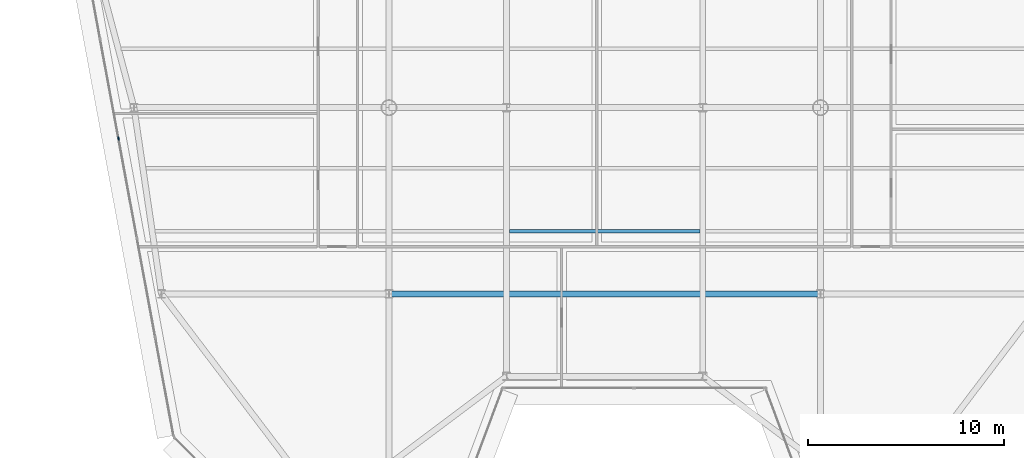
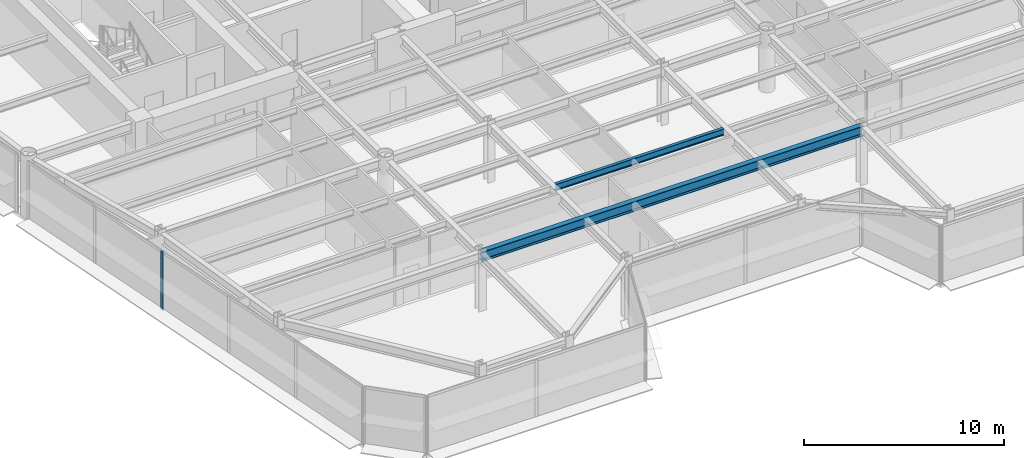
# One storey, part 3 of 16: 2 beams, 1 member, 1 element without a shape of its own.
"""IFC4 building model written with IfcOpenShell, lengths in metres."""

from ifc_helpers import new_model, si_unit, direction, frame, origin, origin_2d, place, context, subcontext, project, spatial, rectangle, i_section, extrude, source, transform, mapped, material, layer, layer_set, material_profile, profile_set, type_object, element, aggregate, save


model = new_model("IFC4")

# Units and contexts
model_context = context("Model", 3, precision=1e-05, world=origin(), true_north=direction((0.0, 1.0)))
body_context = subcontext(model_context, "Body", "Model", "MODEL_VIEW")
ifc_project = project(units=[si_unit("LENGTHUNIT", "METRE"), si_unit("AREAUNIT", "SQUARE_METRE"), si_unit("VOLUMEUNIT", "CUBIC_METRE"), si_unit("PLANEANGLEUNIT", "RADIAN"), si_unit("MASSUNIT", "GRAM", prefix="KILO")], contexts=[model_context])

# Site, building, storey
site_placement = place(None, origin())
site = spatial("IfcSite", under=ifc_project, at=site_placement, CompositionType="ELEMENT")
building_placement = place(site_placement, origin())
building = spatial("IfcBuilding", under=site, at=building_placement, Name="Vaeldorn Concourse Tower", CompositionType="ELEMENT")
storey_placement = place(building_placement, frame((0.0, 0.0, 210.800048828125)))
storey = spatial("IfcBuildingStorey", under=building, at=storey_placement, Name="L54", CompositionType="ELEMENT", Elevation=210.800048828125)

# Beams
ifc_material_1 = material(Name="Steel S355", Category="steel")
ifc_material_profile_1 = material_profile(ifc_material_1, i_section(OverallWidth=0.300048828125, OverallDepth=0.60009765625, WebThickness=0.015380859375, FlangeThickness=0.030029296875, FilletRadius=0.027099609375, at=origin_2d()), Name="HEB 600")
ifc_profile_set_1 = profile_set([ifc_material_profile_1], Name="Steel S355")
beam_type_1 = type_object("IfcBeamType", Name="BM-PG-HEB600", PredefinedType="BEAM", material=ifc_profile_set_1)
shared_shape_1 = source(origin(), body_context, "Body", "SweptSolid", [
    extrude(i_section(OverallWidth=0.300048828125, OverallDepth=0.60009765625, WebThickness=0.015380859375, FlangeThickness=0.030029296875, FilletRadius=0.027099609375, at=origin_2d()), origin(), (0.0, 0.0, 1.0), 22.0),
])
beam_1_placement = place(storey_placement, frame((23.0, 18.0, 3.280029296875), z_axis=(1.0, 0.0, 0.0), x_axis=(0.0, 1.0, 0.0)))
element("IfcBeam", 1, at=beam_1_placement, inside=storey, type_object=beam_type_1, Name="Beam BM-L54-C-TW5-C-TW6", PredefinedType="BEAM", context=body_context, shape_type="MappedRepresentation", body=[
    mapped(shared_shape_1, transform((0.0, 0.0, 0.0), scale=1.0)),
])
ifc_material_profile_2 = material_profile(ifc_material_1, i_section(OverallWidth=0.179931640625, OverallDepth=0.39990234375, WebThickness=0.008544921875, FlangeThickness=0.013427734375, FilletRadius=0.02099609375, at=origin_2d()), Name="IPE 400")
ifc_profile_set_2 = profile_set([ifc_material_profile_2], Name="Steel S355")
beam_type_2 = type_object("IfcBeamType", Name="BM-JS-IPE400", PredefinedType="JOIST", material=ifc_profile_set_2)
shared_shape_2 = source(origin(), body_context, "Body", "SweptSolid", [
    extrude(i_section(OverallWidth=0.179931640625, OverallDepth=0.39990234375, WebThickness=0.008544921875, FlangeThickness=0.013427734375, FilletRadius=0.02099609375, at=origin_2d()), origin(), (0.0, 0.0, 1.0), 9.7001953125),
])
beam_2_placement = place(storey_placement, frame((29.14990234375, 21.199951171875, 3.3798828125), z_axis=(1.0, 0.0, 0.0), x_axis=(0.0, 1.0, 0.0)))
element("IfcBeam", 2, at=beam_2_placement, inside=storey, type_object=beam_type_2, Name="Beam JS-L54-C-212", PredefinedType="JOIST", context=body_context, shape_type="MappedRepresentation", body=[
    mapped(shared_shape_2, transform((0.0, 0.0, 0.0), scale=1.0)),
])

# Curtain wall, member
ifc_material_2 = material(Name="Anodised Bronze Aluminium", Category="aluminium")
ifc_layer = layer(ifc_material_2, 0.18994140625)
ifc_layer_set = layer_set([ifc_layer], Name="Anodised Bronze Aluminium")
curtain_wall_type = type_object("IfcCurtainWallType", Name="CW-SYS-03", PredefinedType="NOTDEFINED", material=ifc_layer_set)
curtain_wall_placement = place(storey_placement, origin())
curtain_wall = element("IfcCurtainWall", 3, at=curtain_wall_placement, inside=storey, type_object=curtain_wall_type, Name="Unitised Curtain Wall CW-L54-E11-2", PredefinedType="NOTDEFINED")
ifc_material_profile_3 = material_profile(ifc_material_2, rectangle(XDim=0.06494140625, YDim=0.169921875, at=origin_2d()), Name="CWM 65x170")
ifc_profile_set_3 = profile_set([ifc_material_profile_3], Name="Anodised Bronze Aluminium")
member_type = type_object("IfcMemberType", Name="CWM-BRONZE-170", PredefinedType="MULLION", material=ifc_profile_set_3)
shared_shape_3 = source(origin(), body_context, "Body", "SweptSolid", [
    extrude(rectangle(XDim=0.06494140625, YDim=0.169921875, at=origin_2d()), origin(), (0.0, 0.0, 1.0), 3.579833984375),
])
member_placement = place(storey_placement, frame((9.2119140625, 25.93017578125, 0.0), z_axis=(0.0, 0.0, 1.0), x_axis=(0.983319079021, 0.181888946432, 0.0)))
member = element("IfcMember", 4, at=member_placement, type_object=member_type, Name="CW-03 mullion 3", PredefinedType="MULLION", context=body_context, shape_type="MappedRepresentation", body=[
    mapped(shared_shape_3, transform((0.0, 0.0, 0.0), scale=1.0)),
])
aggregate(curtain_wall, [member])

save(model, "model.ifc")
